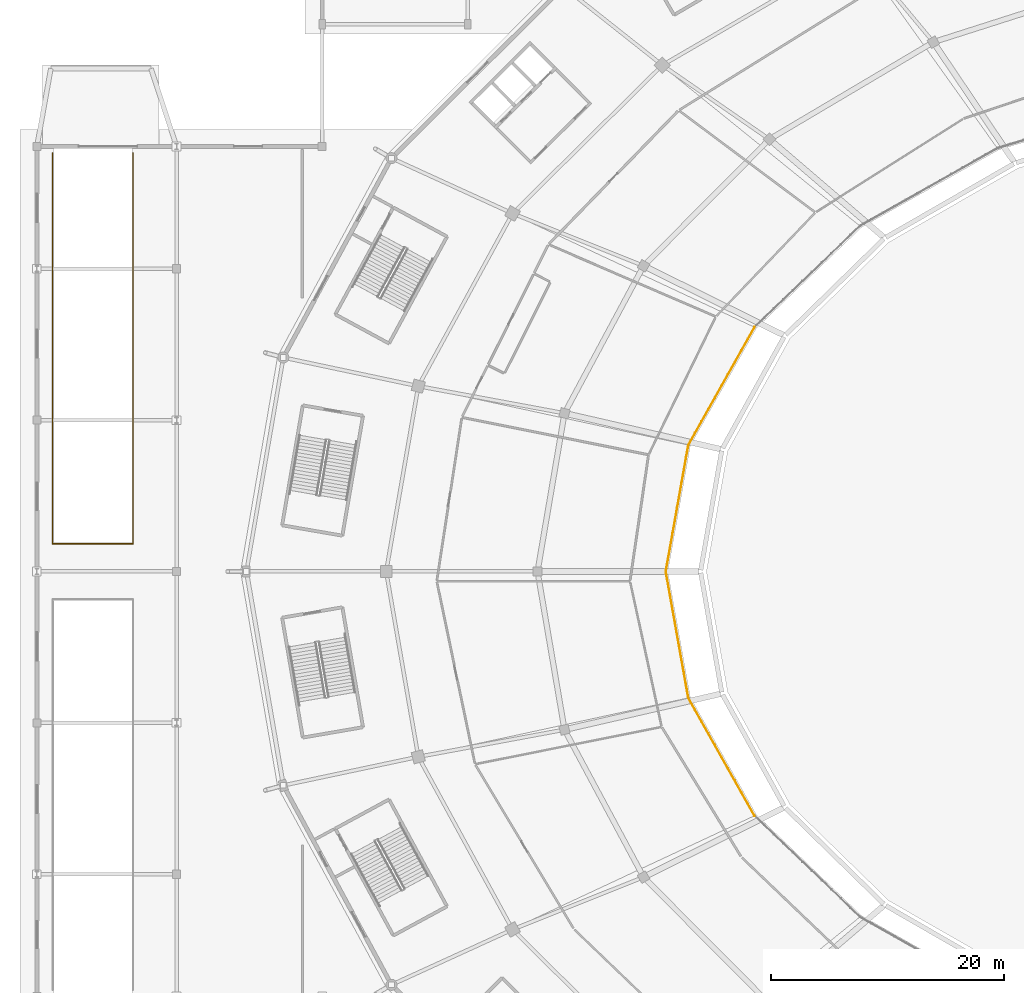
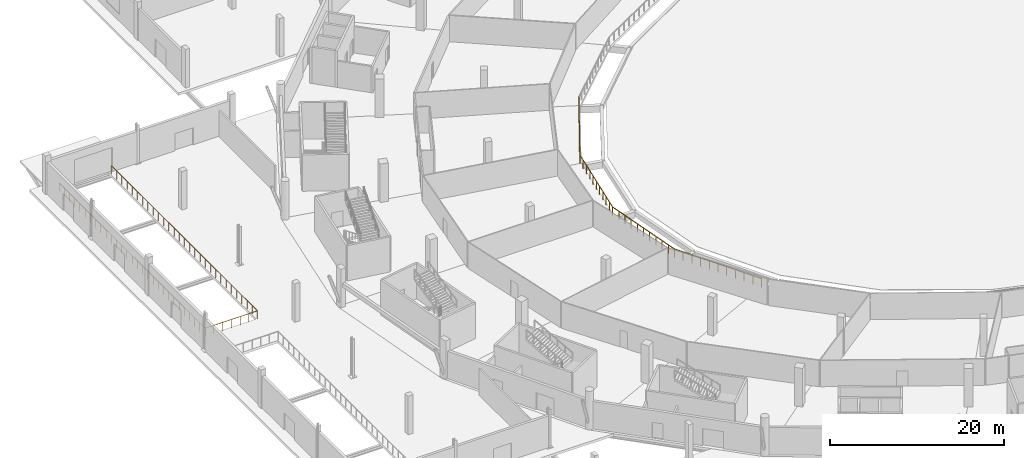
# One storey, part 65 of 82: 5 railings.
"""IFC4 building model written with IfcOpenShell, lengths in metres."""

from ifc_helpers import new_model, si_unit, direction, frame, origin, origin_2d, place, context, subcontext, project, spatial, rectangle, extrude, material, type_object, element, save


model = new_model("IFC4")

# Units and contexts
model_context = context("Model", 3, precision=1e-05, world=origin(), true_north=direction((0.0, 1.0)))
body_context = subcontext(model_context, "Body", "Model", "MODEL_VIEW")
ifc_project = project(units=[si_unit("LENGTHUNIT", "METRE"), si_unit("AREAUNIT", "SQUARE_METRE"), si_unit("VOLUMEUNIT", "CUBIC_METRE"), si_unit("PLANEANGLEUNIT", "RADIAN"), si_unit("MASSUNIT", "GRAM", prefix="KILO")], contexts=[model_context])

# Site, building, storey
site_placement = place(None, origin())
site = spatial("IfcSite", under=ifc_project, at=site_placement, CompositionType="ELEMENT")
building_placement = place(site_placement, origin())
building = spatial("IfcBuilding", under=site, at=building_placement, Name="Zlatoyarsky Gate Stadium", CompositionType="ELEMENT")
storey_placement = place(building_placement, origin())
storey = spatial("IfcBuildingStorey", under=building, at=storey_placement, Name="L00", CompositionType="ELEMENT", Elevation=0.0)

# Railings
ifc_material = material(Name="Powder-coated steel tubular guardrail", Category="steel")
railing_type = type_object("IfcRailingType", Name="CONCOURSE SLAB EDGE GUARDRAIL 1200", PredefinedType="GUARDRAIL", material=ifc_material)
railing_1_placement = place(storey_placement, frame((61.65380859375, 100.989990234375, 0.0)))
element("IfcRailing", 1, at=railing_1_placement, inside=storey, type_object=railing_type, Name="L00 inner bowl edge guardrail 10", PredefinedType="GUARDRAIL", context=body_context, shape_type="SweptSolid", body=[
    extrude(rectangle(XDim=0.048095703125, YDim=0.048095703125, at=origin_2d()), frame((0.0, 0.0, 1.17578125), z_axis=(-0.490078606965, -0.871678242814, 0.0), x_axis=(0.871678242814, -0.490078606965, 0.0)), (0.0, 0.0, 1.0), 11.615234375),
    extrude(rectangle(XDim=0.0419921875, YDim=0.0419921875, at=origin_2d()), origin(), (0.0, 0.0, 1.0), 1.15185546875),
    extrude(rectangle(XDim=0.0419921875, YDim=0.0419921875, at=origin_2d()), frame((-0.5693359375, -1.012451171875, 0.0)), (0.0, 0.0, 1.0), 1.15185546875),
    extrude(rectangle(XDim=0.0419921875, YDim=0.0419921875, at=origin_2d()), frame((-1.138427734375, -2.02490234375, 0.0)), (0.0, 0.0, 1.0), 1.15185546875),
    extrude(rectangle(XDim=0.0419921875, YDim=0.0419921875, at=origin_2d()), frame((-1.707763671875, -3.037353515625, 0.0)), (0.0, 0.0, 1.0), 1.15185546875),
    extrude(rectangle(XDim=0.0419921875, YDim=0.0419921875, at=origin_2d()), frame((-2.27685546875, -4.0498046875, 0.0)), (0.0, 0.0, 1.0), 1.15185546875),
    extrude(rectangle(XDim=0.0419921875, YDim=0.0419921875, at=origin_2d()), frame((-2.84619140625, -5.0625, 0.0)), (0.0, 0.0, 1.0), 1.15185546875),
    extrude(rectangle(XDim=0.0419921875, YDim=0.0419921875, at=origin_2d()), frame((-3.41552734375, -6.074951171875, 0.0)), (0.0, 0.0, 1.0), 1.15185546875),
    extrude(rectangle(XDim=0.0419921875, YDim=0.0419921875, at=origin_2d()), frame((-3.984619140625, -7.08740234375, 0.0)), (0.0, 0.0, 1.0), 1.15185546875),
    extrude(rectangle(XDim=0.0419921875, YDim=0.0419921875, at=origin_2d()), frame((-4.553955078125, -8.099853515625, 0.0)), (0.0, 0.0, 1.0), 1.15185546875),
    extrude(rectangle(XDim=0.0419921875, YDim=0.0419921875, at=origin_2d()), frame((-5.123046875, -9.1123046875, 0.0)), (0.0, 0.0, 1.0), 1.15185546875),
    extrude(rectangle(XDim=0.0419921875, YDim=0.0419921875, at=origin_2d()), frame((-5.6923828125, -10.124755859375, 0.0)), (0.0, 0.0, 1.0), 1.15185546875),
])
railing_2_placement = place(storey_placement, frame((55.96142578125, 90.865234375, 0.0)))
element("IfcRailing", 2, at=railing_2_placement, inside=storey, type_object=railing_type, Name="L00 inner bowl edge guardrail 11", PredefinedType="GUARDRAIL", context=body_context, shape_type="SweptSolid", body=[
    extrude(rectangle(XDim=0.048095703125, YDim=0.048095703125, at=origin_2d()), frame((0.0, 0.0, 1.17578125), z_axis=(-0.175894755289, -0.98440897754, 0.0), x_axis=(0.98440897754, -0.175894755289, 0.0)), (0.0, 0.0, 1.0), 11.037353515625),
    extrude(rectangle(XDim=0.0419921875, YDim=0.0419921875, at=origin_2d()), origin(), (0.0, 0.0, 1.0), 1.15185546875),
    extrude(rectangle(XDim=0.0419921875, YDim=0.0419921875, at=origin_2d()), frame((-0.194091796875, -1.08642578125, 0.0)), (0.0, 0.0, 1.0), 1.15185546875),
    extrude(rectangle(XDim=0.0419921875, YDim=0.0419921875, at=origin_2d()), frame((-0.38818359375, -2.173095703125, 0.0)), (0.0, 0.0, 1.0), 1.15185546875),
    extrude(rectangle(XDim=0.0419921875, YDim=0.0419921875, at=origin_2d()), frame((-0.58251953125, -3.259521484375, 0.0)), (0.0, 0.0, 1.0), 1.15185546875),
    extrude(rectangle(XDim=0.0419921875, YDim=0.0419921875, at=origin_2d()), frame((-0.776611328125, -4.34619140625, 0.0)), (0.0, 0.0, 1.0), 1.15185546875),
    extrude(rectangle(XDim=0.0419921875, YDim=0.0419921875, at=origin_2d()), frame((-0.970703125, -5.4326171875, 0.0)), (0.0, 0.0, 1.0), 1.15185546875),
    extrude(rectangle(XDim=0.0419921875, YDim=0.0419921875, at=origin_2d()), frame((-1.164794921875, -6.51904296875, 0.0)), (0.0, 0.0, 1.0), 1.15185546875),
    extrude(rectangle(XDim=0.0419921875, YDim=0.0419921875, at=origin_2d()), frame((-1.35888671875, -7.605712890625, 0.0)), (0.0, 0.0, 1.0), 1.15185546875),
    extrude(rectangle(XDim=0.0419921875, YDim=0.0419921875, at=origin_2d()), frame((-1.55322265625, -8.692138671875, 0.0)), (0.0, 0.0, 1.0), 1.15185546875),
    extrude(rectangle(XDim=0.0419921875, YDim=0.0419921875, at=origin_2d()), frame((-1.747314453125, -9.77880859375, 0.0)), (0.0, 0.0, 1.0), 1.15185546875),
    extrude(rectangle(XDim=0.0419921875, YDim=0.0419921875, at=origin_2d()), frame((-1.94140625, -10.865234375, 0.0)), (0.0, 0.0, 1.0), 1.15185546875),
])
railing_3_placement = place(storey_placement, frame((54.02001953125, 80.0, 0.0)))
element("IfcRailing", 3, at=railing_3_placement, inside=storey, type_object=railing_type, Name="L00 inner bowl edge guardrail 12", PredefinedType="GUARDRAIL", context=body_context, shape_type="SweptSolid", body=[
    extrude(rectangle(XDim=0.048095703125, YDim=0.048095703125, at=origin_2d()), frame((0.0, 0.0, 1.17578125), z_axis=(0.175894755289, -0.98440897754, 0.0), x_axis=(0.98440897754, 0.175894755289, 0.0)), (0.0, 0.0, 1.0), 11.037353515625),
    extrude(rectangle(XDim=0.0419921875, YDim=0.0419921875, at=origin_2d()), origin(), (0.0, 0.0, 1.0), 1.15185546875),
    extrude(rectangle(XDim=0.0419921875, YDim=0.0419921875, at=origin_2d()), frame((0.194091796875, -1.08642578125, 0.0)), (0.0, 0.0, 1.0), 1.15185546875),
    extrude(rectangle(XDim=0.0419921875, YDim=0.0419921875, at=origin_2d()), frame((0.38818359375, -2.173095703125, 0.0)), (0.0, 0.0, 1.0), 1.15185546875),
    extrude(rectangle(XDim=0.0419921875, YDim=0.0419921875, at=origin_2d()), frame((0.58251953125, -3.259521484375, 0.0)), (0.0, 0.0, 1.0), 1.15185546875),
    extrude(rectangle(XDim=0.0419921875, YDim=0.0419921875, at=origin_2d()), frame((0.776611328125, -4.34619140625, 0.0)), (0.0, 0.0, 1.0), 1.15185546875),
    extrude(rectangle(XDim=0.0419921875, YDim=0.0419921875, at=origin_2d()), frame((0.970703125, -5.4326171875, 0.0)), (0.0, 0.0, 1.0), 1.15185546875),
    extrude(rectangle(XDim=0.0419921875, YDim=0.0419921875, at=origin_2d()), frame((1.164794921875, -6.51904296875, 0.0)), (0.0, 0.0, 1.0), 1.15185546875),
    extrude(rectangle(XDim=0.0419921875, YDim=0.0419921875, at=origin_2d()), frame((1.35888671875, -7.605712890625, 0.0)), (0.0, 0.0, 1.0), 1.15185546875),
    extrude(rectangle(XDim=0.0419921875, YDim=0.0419921875, at=origin_2d()), frame((1.55322265625, -8.692138671875, 0.0)), (0.0, 0.0, 1.0), 1.15185546875),
    extrude(rectangle(XDim=0.0419921875, YDim=0.0419921875, at=origin_2d()), frame((1.747314453125, -9.77880859375, 0.0)), (0.0, 0.0, 1.0), 1.15185546875),
    extrude(rectangle(XDim=0.0419921875, YDim=0.0419921875, at=origin_2d()), frame((1.94140625, -10.865234375, 0.0)), (0.0, 0.0, 1.0), 1.15185546875),
])
railing_4_placement = place(storey_placement, frame((55.96142578125, 69.134765625, 0.0)))
element("IfcRailing", 4, at=railing_4_placement, inside=storey, type_object=railing_type, Name="L00 inner bowl edge guardrail 13", PredefinedType="GUARDRAIL", context=body_context, shape_type="SweptSolid", body=[
    extrude(rectangle(XDim=0.048095703125, YDim=0.048095703125, at=origin_2d()), frame((0.0, 0.0, 1.17578125), z_axis=(0.490078606965, -0.871678242814, 0.0), x_axis=(0.871678242814, 0.490078606965, 0.0)), (0.0, 0.0, 1.0), 11.615234375),
    extrude(rectangle(XDim=0.0419921875, YDim=0.0419921875, at=origin_2d()), origin(), (0.0, 0.0, 1.0), 1.15185546875),
    extrude(rectangle(XDim=0.0419921875, YDim=0.0419921875, at=origin_2d()), frame((0.5693359375, -1.012451171875, 0.0)), (0.0, 0.0, 1.0), 1.15185546875),
    extrude(rectangle(XDim=0.0419921875, YDim=0.0419921875, at=origin_2d()), frame((1.138427734375, -2.02490234375, 0.0)), (0.0, 0.0, 1.0), 1.15185546875),
    extrude(rectangle(XDim=0.0419921875, YDim=0.0419921875, at=origin_2d()), frame((1.707763671875, -3.037353515625, 0.0)), (0.0, 0.0, 1.0), 1.15185546875),
    extrude(rectangle(XDim=0.0419921875, YDim=0.0419921875, at=origin_2d()), frame((2.27685546875, -4.0498046875, 0.0)), (0.0, 0.0, 1.0), 1.15185546875),
    extrude(rectangle(XDim=0.0419921875, YDim=0.0419921875, at=origin_2d()), frame((2.84619140625, -5.0625, 0.0)), (0.0, 0.0, 1.0), 1.15185546875),
    extrude(rectangle(XDim=0.0419921875, YDim=0.0419921875, at=origin_2d()), frame((3.41552734375, -6.074951171875, 0.0)), (0.0, 0.0, 1.0), 1.15185546875),
    extrude(rectangle(XDim=0.0419921875, YDim=0.0419921875, at=origin_2d()), frame((3.984619140625, -7.08740234375, 0.0)), (0.0, 0.0, 1.0), 1.15185546875),
    extrude(rectangle(XDim=0.0419921875, YDim=0.0419921875, at=origin_2d()), frame((4.553955078125, -8.099853515625, 0.0)), (0.0, 0.0, 1.0), 1.15185546875),
    extrude(rectangle(XDim=0.0419921875, YDim=0.0419921875, at=origin_2d()), frame((5.123046875, -9.1123046875, 0.0)), (0.0, 0.0, 1.0), 1.15185546875),
    extrude(rectangle(XDim=0.0419921875, YDim=0.0419921875, at=origin_2d()), frame((5.6923828125, -10.124755859375, 0.0)), (0.0, 0.0, 1.0), 1.15185546875),
])
railing_5_placement = place(storey_placement, frame((1.330078125, 115.949951171875, 0.0)))
element("IfcRailing", 5, at=railing_5_placement, inside=storey, type_object=railing_type, Name="L00 ramp portal perimeter guardrail VR-02", PredefinedType="GUARDRAIL", context=body_context, shape_type="SweptSolid", body=[
    extrude(rectangle(XDim=0.048095703125, YDim=0.048095703125, at=origin_2d()), frame((0.0, 0.0, 1.17578125), z_axis=(0.0, -1.0, 0.0), x_axis=(1.0, 0.0, 0.0)), (0.0, 0.0, 1.0), 33.570068359375),
    extrude(rectangle(XDim=0.048095703125, YDim=0.048095703125, at=origin_2d()), frame((0.0, -33.570068359375, 1.17578125), z_axis=(1.0, 0.0, 0.0), x_axis=(0.0, 1.0, 0.0)), (0.0, 0.0, 1.0), 6.93994140625),
    extrude(rectangle(XDim=0.048095703125, YDim=0.048095703125, at=origin_2d()), frame((6.93994140625, -33.570068359375, 1.17578125), z_axis=(0.0, 1.0, 0.0), x_axis=(-1.0, 0.0, 0.0)), (0.0, 0.0, 1.0), 33.570068359375),
    extrude(rectangle(XDim=0.0419921875, YDim=0.0419921875, at=origin_2d()), origin(), (0.0, 0.0, 1.0), 1.15185546875),
    extrude(rectangle(XDim=0.0419921875, YDim=0.0419921875, at=origin_2d()), frame((0.0, -1.198974609375, 0.0)), (0.0, 0.0, 1.0), 1.15185546875),
    extrude(rectangle(XDim=0.0419921875, YDim=0.0419921875, at=origin_2d()), frame((0.0, -2.39794921875, 0.0)), (0.0, 0.0, 1.0), 1.15185546875),
    extrude(rectangle(XDim=0.0419921875, YDim=0.0419921875, at=origin_2d()), frame((0.0, -3.5966796875, 0.0)), (0.0, 0.0, 1.0), 1.15185546875),
    extrude(rectangle(XDim=0.0419921875, YDim=0.0419921875, at=origin_2d()), frame((0.0, -4.795654296875, 0.0)), (0.0, 0.0, 1.0), 1.15185546875),
    extrude(rectangle(XDim=0.0419921875, YDim=0.0419921875, at=origin_2d()), frame((0.0, -5.99462890625, 0.0)), (0.0, 0.0, 1.0), 1.15185546875),
    extrude(rectangle(XDim=0.0419921875, YDim=0.0419921875, at=origin_2d()), frame((0.0, -7.193603515625, 0.0)), (0.0, 0.0, 1.0), 1.15185546875),
    extrude(rectangle(XDim=0.0419921875, YDim=0.0419921875, at=origin_2d()), frame((0.0, -8.392578125, 0.0)), (0.0, 0.0, 1.0), 1.15185546875),
    extrude(rectangle(XDim=0.0419921875, YDim=0.0419921875, at=origin_2d()), frame((0.0, -9.591552734375, 0.0)), (0.0, 0.0, 1.0), 1.15185546875),
    extrude(rectangle(XDim=0.0419921875, YDim=0.0419921875, at=origin_2d()), frame((0.0, -10.790283203125, 0.0)), (0.0, 0.0, 1.0), 1.15185546875),
    extrude(rectangle(XDim=0.0419921875, YDim=0.0419921875, at=origin_2d()), frame((0.0, -11.9892578125, 0.0)), (0.0, 0.0, 1.0), 1.15185546875),
    extrude(rectangle(XDim=0.0419921875, YDim=0.0419921875, at=origin_2d()), frame((0.0, -13.188232421875, 0.0)), (0.0, 0.0, 1.0), 1.15185546875),
    extrude(rectangle(XDim=0.0419921875, YDim=0.0419921875, at=origin_2d()), frame((0.0, -14.38720703125, 0.0)), (0.0, 0.0, 1.0), 1.15185546875),
    extrude(rectangle(XDim=0.0419921875, YDim=0.0419921875, at=origin_2d()), frame((0.0, -15.586181640625, 0.0)), (0.0, 0.0, 1.0), 1.15185546875),
    extrude(rectangle(XDim=0.0419921875, YDim=0.0419921875, at=origin_2d()), frame((0.0, -16.78515625, 0.0)), (0.0, 0.0, 1.0), 1.15185546875),
    extrude(rectangle(XDim=0.0419921875, YDim=0.0419921875, at=origin_2d()), frame((0.0, -17.98388671875, 0.0)), (0.0, 0.0, 1.0), 1.15185546875),
    extrude(rectangle(XDim=0.0419921875, YDim=0.0419921875, at=origin_2d()), frame((0.0, -19.182861328125, 0.0)), (0.0, 0.0, 1.0), 1.15185546875),
    extrude(rectangle(XDim=0.0419921875, YDim=0.0419921875, at=origin_2d()), frame((0.0, -20.3818359375, 0.0)), (0.0, 0.0, 1.0), 1.15185546875),
    extrude(rectangle(XDim=0.0419921875, YDim=0.0419921875, at=origin_2d()), frame((0.0, -21.580810546875, 0.0)), (0.0, 0.0, 1.0), 1.15185546875),
    extrude(rectangle(XDim=0.0419921875, YDim=0.0419921875, at=origin_2d()), frame((0.0, -22.77978515625, 0.0)), (0.0, 0.0, 1.0), 1.15185546875),
    extrude(rectangle(XDim=0.0419921875, YDim=0.0419921875, at=origin_2d()), frame((0.0, -23.978515625, 0.0)), (0.0, 0.0, 1.0), 1.15185546875),
    extrude(rectangle(XDim=0.0419921875, YDim=0.0419921875, at=origin_2d()), frame((0.0, -25.177490234375, 0.0)), (0.0, 0.0, 1.0), 1.15185546875),
    extrude(rectangle(XDim=0.0419921875, YDim=0.0419921875, at=origin_2d()), frame((0.0, -26.37646484375, 0.0)), (0.0, 0.0, 1.0), 1.15185546875),
    extrude(rectangle(XDim=0.0419921875, YDim=0.0419921875, at=origin_2d()), frame((0.0, -27.575439453125, 0.0)), (0.0, 0.0, 1.0), 1.15185546875),
    extrude(rectangle(XDim=0.0419921875, YDim=0.0419921875, at=origin_2d()), frame((0.0, -28.7744140625, 0.0)), (0.0, 0.0, 1.0), 1.15185546875),
    extrude(rectangle(XDim=0.0419921875, YDim=0.0419921875, at=origin_2d()), frame((0.0, -29.973388671875, 0.0)), (0.0, 0.0, 1.0), 1.15185546875),
    extrude(rectangle(XDim=0.0419921875, YDim=0.0419921875, at=origin_2d()), frame((0.0, -31.172119140625, 0.0)), (0.0, 0.0, 1.0), 1.15185546875),
    extrude(rectangle(XDim=0.0419921875, YDim=0.0419921875, at=origin_2d()), frame((0.0, -32.37109375, 0.0)), (0.0, 0.0, 1.0), 1.15185546875),
    extrude(rectangle(XDim=0.0419921875, YDim=0.0419921875, at=origin_2d()), frame((0.0, -33.570068359375, 0.0)), (0.0, 0.0, 1.0), 1.15185546875),
    extrude(rectangle(XDim=0.0419921875, YDim=0.0419921875, at=origin_2d()), frame((1.15673828125, -33.570068359375, 0.0)), (0.0, 0.0, 1.0), 1.15185546875),
    extrude(rectangle(XDim=0.0419921875, YDim=0.0419921875, at=origin_2d()), frame((2.313232421875, -33.570068359375, 0.0)), (0.0, 0.0, 1.0), 1.15185546875),
    extrude(rectangle(XDim=0.0419921875, YDim=0.0419921875, at=origin_2d()), frame((3.469970703125, -33.570068359375, 0.0)), (0.0, 0.0, 1.0), 1.15185546875),
    extrude(rectangle(XDim=0.0419921875, YDim=0.0419921875, at=origin_2d()), frame((4.626708984375, -33.570068359375, 0.0)), (0.0, 0.0, 1.0), 1.15185546875),
    extrude(rectangle(XDim=0.0419921875, YDim=0.0419921875, at=origin_2d()), frame((5.783203125, -33.570068359375, 0.0)), (0.0, 0.0, 1.0), 1.15185546875),
    extrude(rectangle(XDim=0.0419921875, YDim=0.0419921875, at=origin_2d()), frame((6.93994140625, -33.570068359375, 0.0)), (0.0, 0.0, 1.0), 1.15185546875),
    extrude(rectangle(XDim=0.0419921875, YDim=0.0419921875, at=origin_2d()), frame((6.93994140625, -32.37109375, 0.0)), (0.0, 0.0, 1.0), 1.15185546875),
    extrude(rectangle(XDim=0.0419921875, YDim=0.0419921875, at=origin_2d()), frame((6.93994140625, -31.172119140625, 0.0)), (0.0, 0.0, 1.0), 1.15185546875),
    extrude(rectangle(XDim=0.0419921875, YDim=0.0419921875, at=origin_2d()), frame((6.93994140625, -29.973388671875, 0.0)), (0.0, 0.0, 1.0), 1.15185546875),
    extrude(rectangle(XDim=0.0419921875, YDim=0.0419921875, at=origin_2d()), frame((6.93994140625, -28.7744140625, 0.0)), (0.0, 0.0, 1.0), 1.15185546875),
    extrude(rectangle(XDim=0.0419921875, YDim=0.0419921875, at=origin_2d()), frame((6.93994140625, -27.575439453125, 0.0)), (0.0, 0.0, 1.0), 1.15185546875),
    extrude(rectangle(XDim=0.0419921875, YDim=0.0419921875, at=origin_2d()), frame((6.93994140625, -26.37646484375, 0.0)), (0.0, 0.0, 1.0), 1.15185546875),
    extrude(rectangle(XDim=0.0419921875, YDim=0.0419921875, at=origin_2d()), frame((6.93994140625, -25.177490234375, 0.0)), (0.0, 0.0, 1.0), 1.15185546875),
    extrude(rectangle(XDim=0.0419921875, YDim=0.0419921875, at=origin_2d()), frame((6.93994140625, -23.978515625, 0.0)), (0.0, 0.0, 1.0), 1.15185546875),
    extrude(rectangle(XDim=0.0419921875, YDim=0.0419921875, at=origin_2d()), frame((6.93994140625, -22.77978515625, 0.0)), (0.0, 0.0, 1.0), 1.15185546875),
    extrude(rectangle(XDim=0.0419921875, YDim=0.0419921875, at=origin_2d()), frame((6.93994140625, -21.580810546875, 0.0)), (0.0, 0.0, 1.0), 1.15185546875),
    extrude(rectangle(XDim=0.0419921875, YDim=0.0419921875, at=origin_2d()), frame((6.93994140625, -20.3818359375, 0.0)), (0.0, 0.0, 1.0), 1.15185546875),
    extrude(rectangle(XDim=0.0419921875, YDim=0.0419921875, at=origin_2d()), frame((6.93994140625, -19.182861328125, 0.0)), (0.0, 0.0, 1.0), 1.15185546875),
    extrude(rectangle(XDim=0.0419921875, YDim=0.0419921875, at=origin_2d()), frame((6.93994140625, -17.98388671875, 0.0)), (0.0, 0.0, 1.0), 1.15185546875),
    extrude(rectangle(XDim=0.0419921875, YDim=0.0419921875, at=origin_2d()), frame((6.93994140625, -16.78515625, 0.0)), (0.0, 0.0, 1.0), 1.15185546875),
    extrude(rectangle(XDim=0.0419921875, YDim=0.0419921875, at=origin_2d()), frame((6.93994140625, -15.586181640625, 0.0)), (0.0, 0.0, 1.0), 1.15185546875),
    extrude(rectangle(XDim=0.0419921875, YDim=0.0419921875, at=origin_2d()), frame((6.93994140625, -14.38720703125, 0.0)), (0.0, 0.0, 1.0), 1.15185546875),
    extrude(rectangle(XDim=0.0419921875, YDim=0.0419921875, at=origin_2d()), frame((6.93994140625, -13.188232421875, 0.0)), (0.0, 0.0, 1.0), 1.15185546875),
    extrude(rectangle(XDim=0.0419921875, YDim=0.0419921875, at=origin_2d()), frame((6.93994140625, -11.9892578125, 0.0)), (0.0, 0.0, 1.0), 1.15185546875),
    extrude(rectangle(XDim=0.0419921875, YDim=0.0419921875, at=origin_2d()), frame((6.93994140625, -10.790283203125, 0.0)), (0.0, 0.0, 1.0), 1.15185546875),
    extrude(rectangle(XDim=0.0419921875, YDim=0.0419921875, at=origin_2d()), frame((6.93994140625, -9.591552734375, 0.0)), (0.0, 0.0, 1.0), 1.15185546875),
    extrude(rectangle(XDim=0.0419921875, YDim=0.0419921875, at=origin_2d()), frame((6.93994140625, -8.392578125, 0.0)), (0.0, 0.0, 1.0), 1.15185546875),
    extrude(rectangle(XDim=0.0419921875, YDim=0.0419921875, at=origin_2d()), frame((6.93994140625, -7.193603515625, 0.0)), (0.0, 0.0, 1.0), 1.15185546875),
    extrude(rectangle(XDim=0.0419921875, YDim=0.0419921875, at=origin_2d()), frame((6.93994140625, -5.99462890625, 0.0)), (0.0, 0.0, 1.0), 1.15185546875),
    extrude(rectangle(XDim=0.0419921875, YDim=0.0419921875, at=origin_2d()), frame((6.93994140625, -4.795654296875, 0.0)), (0.0, 0.0, 1.0), 1.15185546875),
    extrude(rectangle(XDim=0.0419921875, YDim=0.0419921875, at=origin_2d()), frame((6.93994140625, -3.5966796875, 0.0)), (0.0, 0.0, 1.0), 1.15185546875),
    extrude(rectangle(XDim=0.0419921875, YDim=0.0419921875, at=origin_2d()), frame((6.93994140625, -2.39794921875, 0.0)), (0.0, 0.0, 1.0), 1.15185546875),
    extrude(rectangle(XDim=0.0419921875, YDim=0.0419921875, at=origin_2d()), frame((6.93994140625, -1.198974609375, 0.0)), (0.0, 0.0, 1.0), 1.15185546875),
    extrude(rectangle(XDim=0.0419921875, YDim=0.0419921875, at=origin_2d()), frame((6.93994140625, 0.0, 0.0)), (0.0, 0.0, 1.0), 1.15185546875),
])

save(model, "model.ifc")
